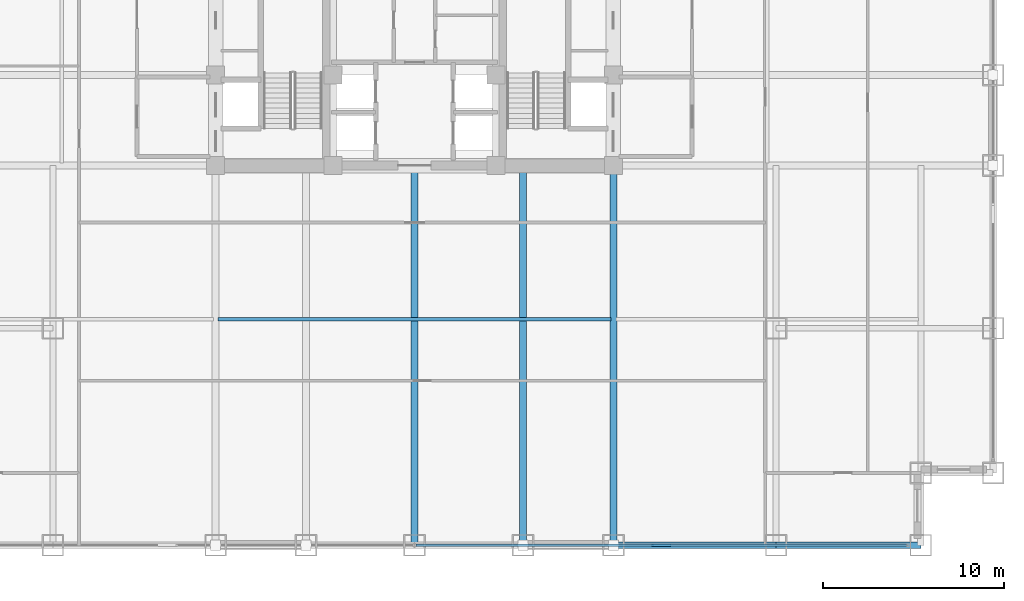
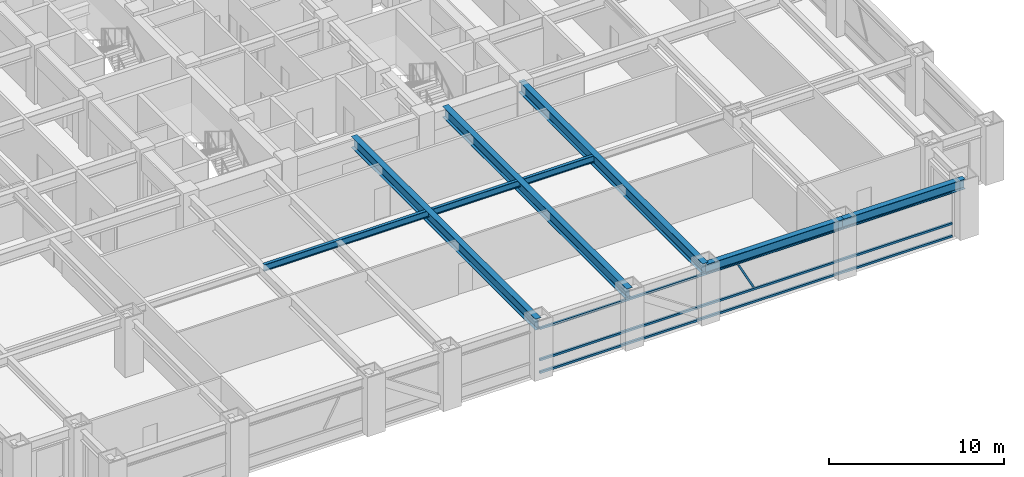
# One storey, part 5 of 28: 6 beams, 4 members, 1 element without a shape of its own.
"""IFC4 building model written with IfcOpenShell, lengths in metres."""

from ifc_helpers import new_model, si_unit, direction, frame, origin, origin_2d, place, context, subcontext, project, spatial, hollow_rectangle, i_section, extrude, source, transform, mapped, material, material_profile, profile_set, type_object, element, aggregate, save


model = new_model("IFC4")

# Units and contexts
model_context = context("Model", 3, precision=1e-05, world=origin(), true_north=direction((0.0, 1.0)))
body_context = subcontext(model_context, "Body", "Model", "MODEL_VIEW")
ifc_project = project(units=[si_unit("LENGTHUNIT", "METRE"), si_unit("AREAUNIT", "SQUARE_METRE"), si_unit("VOLUMEUNIT", "CUBIC_METRE"), si_unit("PLANEANGLEUNIT", "RADIAN"), si_unit("MASSUNIT", "GRAM", prefix="KILO")], contexts=[model_context])

# Site, building, storey
site_placement = place(None, origin())
site = spatial("IfcSite", under=ifc_project, at=site_placement, CompositionType="ELEMENT")
building_placement = place(site_placement, origin())
building = spatial("IfcBuilding", under=site, at=building_placement, Name="Khorayat Bourse Tower", CompositionType="ELEMENT")
storey_placement = place(building_placement, frame((0.0, 0.0, 116.0)))
storey = spatial("IfcBuildingStorey", under=building, at=storey_placement, Name="L26", CompositionType="ELEMENT", Elevation=116.0)

# Beams
ifc_material_1 = material(Name="Steel ASTM A992 Grade 50", Category="steel")
ifc_material_profile_1 = material_profile(ifc_material_1, i_section(OverallWidth=0.35498046875, OverallDepth=0.695068359375, WebThickness=0.015380859375, FlangeThickness=0.02490234375, FilletRadius=0.01806640625, at=origin_2d()), Name="W690X217")
ifc_profile_set_1 = profile_set([ifc_material_profile_1], Name="Steel ASTM A992 Grade 50")
beam_type_1 = type_object("IfcBeamType", Name="BM-SPAN-690", PredefinedType="SPANDREL", material=ifc_profile_set_1)
shared_shape_1 = source(origin(), body_context, "Body", "SweptSolid", [
    extrude(i_section(OverallWidth=0.35498046875, OverallDepth=0.695068359375, WebThickness=0.015380859375, FlangeThickness=0.02490234375, FilletRadius=0.01806640625, at=origin_2d()), origin(), (0.0, 0.0, 1.0), 9.0),
])
beam_1_placement = place(storey_placement, frame((11.0, -32.0, 3.492431640625), z_axis=(1.0, 0.0, 0.0), x_axis=(0.0, 1.0, 0.0)))
element("IfcBeam", 1, at=beam_1_placement, inside=storey, type_object=beam_type_1, Name="L26 BM-SPAN-690 BM-L26-SPN-030", PredefinedType="SPANDREL", context=body_context, shape_type="MappedRepresentation", body=[
    mapped(shared_shape_1, transform((0.0, 0.0, 0.0), scale=1.0)),
])
ifc_material_profile_2 = material_profile(ifc_material_1, i_section(OverallWidth=0.194091796875, OverallDepth=0.468994140625, WebThickness=0.0126953125, FlangeThickness=0.0205078125, FilletRadius=0.012939453125, at=origin_2d()), Name="W460X106")
ifc_profile_set_2 = profile_set([ifc_material_profile_2], Name="Steel ASTM A992 Grade 50")
beam_type_2 = type_object("IfcBeamType", Name="BM-JOIST-460", PredefinedType="JOIST", material=ifc_profile_set_2)
shared_shape_2 = source(origin(), body_context, "Body", "SweptSolid", [
    extrude(i_section(OverallWidth=0.194091796875, OverallDepth=0.468994140625, WebThickness=0.0126953125, FlangeThickness=0.0205078125, FilletRadius=0.012939453125, at=origin_2d()), origin(), (0.0, 0.0, 1.0), 21.740234375),
])
beam_2_placement = place(storey_placement, frame((-10.8701171875, -19.5, 3.60546875), z_axis=(1.0, 0.0, 0.0), x_axis=(0.0, 1.0, 0.0)))
element("IfcBeam", 2, at=beam_2_placement, inside=storey, type_object=beam_type_2, Name="L26 BM-JOIST-460 BM-L26-JSTX-097", PredefinedType="JOIST", context=body_context, shape_type="MappedRepresentation", body=[
    mapped(shared_shape_2, transform((0.0, 0.0, 0.0), scale=1.0)),
])
shared_shape_3 = source(origin(), body_context, "Body", "SweptSolid", [
    extrude(i_section(OverallWidth=0.35498046875, OverallDepth=0.695068359375, WebThickness=0.015380859375, FlangeThickness=0.02490234375, FilletRadius=0.01806640625, at=origin_2d()), origin(), (0.0, 0.0, 1.0), 8.0),
])
beam_3_placement = place(storey_placement, frame((20.0, -32.0, 3.492431640625), z_axis=(1.0, 0.0, 0.0), x_axis=(0.0, 1.0, 0.0)))
element("IfcBeam", 3, at=beam_3_placement, inside=storey, type_object=beam_type_1, Name="L26 BM-SPAN-690 BM-L26-SPN-031", PredefinedType="SPANDREL", context=body_context, shape_type="MappedRepresentation", body=[
    mapped(shared_shape_3, transform((0.0, 0.0, 0.0), scale=1.0)),
])
ifc_material_profile_3 = material_profile(ifc_material_1, i_section(OverallWidth=0.381103515625, OverallDepth=0.77294921875, WebThickness=0.0166015625, FlangeThickness=0.027587890625, FilletRadius=0.01806640625, at=origin_2d()), Name="W760X257")
ifc_profile_set_3 = profile_set([ifc_material_profile_3], Name="Steel ASTM A992 Grade 50")
beam_type_3 = type_object("IfcBeamType", Name="BM-GIRD-760", PredefinedType="BEAM", material=ifc_profile_set_3)
shared_shape_4 = source(origin(), body_context, "Body", "SweptSolid", [
    extrude(i_section(OverallWidth=0.381103515625, OverallDepth=0.77294921875, WebThickness=0.0166015625, FlangeThickness=0.027587890625, FilletRadius=0.01806640625, at=origin_2d()), origin(), (0.0, 0.0, 1.0), 21.0),
])
for number, where, z_axis, x_axis, name in (
    (4, (0.0, -32.0, 3.45361328125), (0.0, 1.0, 0.0), (-1.0, 0.0, 0.0), "L26 BM-GIRD-760 BM-L26-RADY-069"),
    (5, (6.0, -32.0, 3.45361328125), (0.0, 1.0, 0.0), (-1.0, 0.0, 0.0), "L26 BM-GIRD-760 BM-L26-RADY-071"),
    (6, (11.0, -32.0, 3.45361328125), (0.0, 1.0, 0.0), (-1.0, 0.0, 0.0), "L26 BM-GIRD-760 BM-L26-RADY-073"),
):
    element("IfcBeam", number, at=place(storey_placement, frame(where, z_axis=z_axis, x_axis=x_axis)), inside=storey, type_object=beam_type_3, Name=name, PredefinedType="BEAM", context=body_context, shape_type="MappedRepresentation", body=[
        mapped(shared_shape_4, transform((0.0, 0.0, 0.0), scale=1.0)),
    ])

# Curtain wall, members
ifc_material_2 = material(Name="Aluminium EN AW-6063 T6", Category="aluminium")
curtain_wall_type = type_object("IfcCurtainWallType", Name="CW-SYS-02", PredefinedType="NOTDEFINED", material=ifc_material_2)
curtain_wall_placement = place(storey_placement, origin())
curtain_wall = element("IfcCurtainWall", 7, at=curtain_wall_placement, inside=storey, type_object=curtain_wall_type, Name="L26 Curtain Wall CW-L26-S1", PredefinedType="NOTDEFINED")
ifc_material_profile_4 = material_profile(ifc_material_2, hollow_rectangle(XDim=0.139892578125, YDim=0.139892578125, WallThickness=0.006103515625, at=origin_2d()), Name="ALU 140x140x6")
ifc_profile_set_4 = profile_set([ifc_material_profile_4], Name="Aluminium EN AW-6063 T6")
member_type_1 = type_object("IfcMemberType", Name="CWT-HORZ-140", PredefinedType="USERDEFINED", material=ifc_profile_set_4)
shared_shape_5 = source(origin(), body_context, "Body", "SweptSolid", [
    extrude(hollow_rectangle(XDim=0.139892578125, YDim=0.139892578125, WallThickness=0.006103515625, at=origin_2d()), origin(), (0.0, 0.0, 1.0), 27.139892578125),
])
member_1_placement = place(storey_placement, frame((0.070068359375, -32.0, 0.070068359375), z_axis=(1.0, 0.0, 0.0), x_axis=(0.0, 1.0, 0.0)))
member_1 = element("IfcMember", 8, at=member_1_placement, type_object=member_type_1, Name="CW-L26-S1 Horizontal Transom 2-1", ObjectType="TRANSOM", PredefinedType="USERDEFINED", context=body_context, shape_type="MappedRepresentation", body=[
    mapped(shared_shape_5, transform((0.0, 0.0, 0.0), scale=1.0)),
])
member_2_placement = place(storey_placement, frame((0.070068359375, -32.0, 0.949951171875), z_axis=(1.0, 0.0, 0.0), x_axis=(0.0, 1.0, 0.0)))
member_2 = element("IfcMember", 9, at=member_2_placement, type_object=member_type_1, Name="CW-L26-S1 Horizontal Transom 2-2", ObjectType="TRANSOM", PredefinedType="USERDEFINED", context=body_context, shape_type="MappedRepresentation", body=[
    mapped(shared_shape_5, transform((0.0, 0.0, 0.0), scale=1.0)),
])
member_3_placement = place(storey_placement, frame((0.070068359375, -32.0, 3.1201171875), z_axis=(1.0, 0.0, 0.0), x_axis=(0.0, 1.0, 0.0)))
member_3 = element("IfcMember", 10, at=member_3_placement, type_object=member_type_1, Name="CW-L26-S1 Horizontal Transom 2-3", ObjectType="TRANSOM", PredefinedType="USERDEFINED", context=body_context, shape_type="MappedRepresentation", body=[
    mapped(shared_shape_5, transform((0.0, 0.0, 0.0), scale=1.0)),
])
ifc_material_profile_5 = material_profile(ifc_material_2, hollow_rectangle(XDim=0.1201171875, YDim=0.1201171875, WallThickness=0.0048828125, at=origin_2d()), Name="ALU 120x120x5")
ifc_profile_set_5 = profile_set([ifc_material_profile_5], Name="Aluminium EN AW-6063 T6")
member_type_2 = type_object("IfcMemberType", Name="CWM-DIAG-120", PredefinedType="MULLION", material=ifc_profile_set_5)
shared_shape_6 = source(origin(), body_context, "Body", "SweptSolid", [
    extrude(hollow_rectangle(XDim=0.1201171875, YDim=0.1201171875, WallThickness=0.0048828125, at=origin_2d()), origin(), (0.0, 0.0, 1.0), 2.113037109375),
])
member_4_placement = place(storey_placement, frame((14.132080078125, -32.0, 1.10009765625), z_axis=(-0.465741670874, 0.0, 0.884920728659), x_axis=(0.0, -1.0, 0.0)))
member_4 = element("IfcMember", 11, at=member_4_placement, type_object=member_type_2, Name="CW-L26-S1 Faceted Diagonal Mullion 2", PredefinedType="MULLION", context=body_context, shape_type="MappedRepresentation", body=[
    mapped(shared_shape_6, transform((0.0, 0.0, 0.0), scale=1.0)),
])
aggregate(curtain_wall, [member_1, member_2, member_3, member_4])

save(model, "model.ifc")
